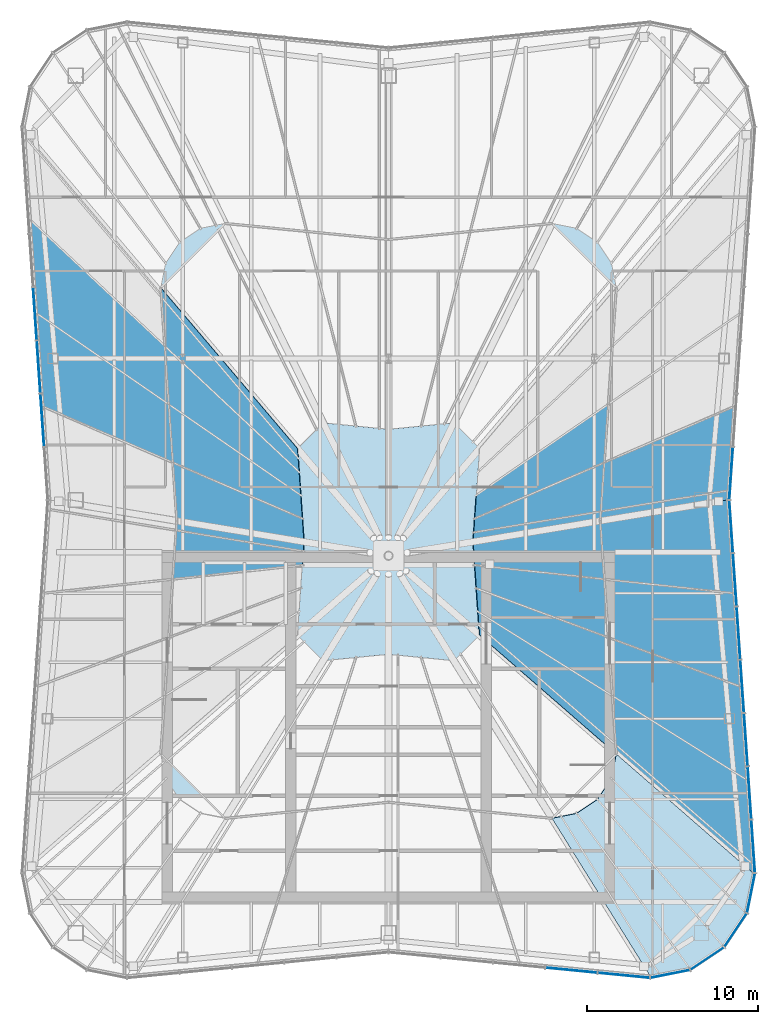
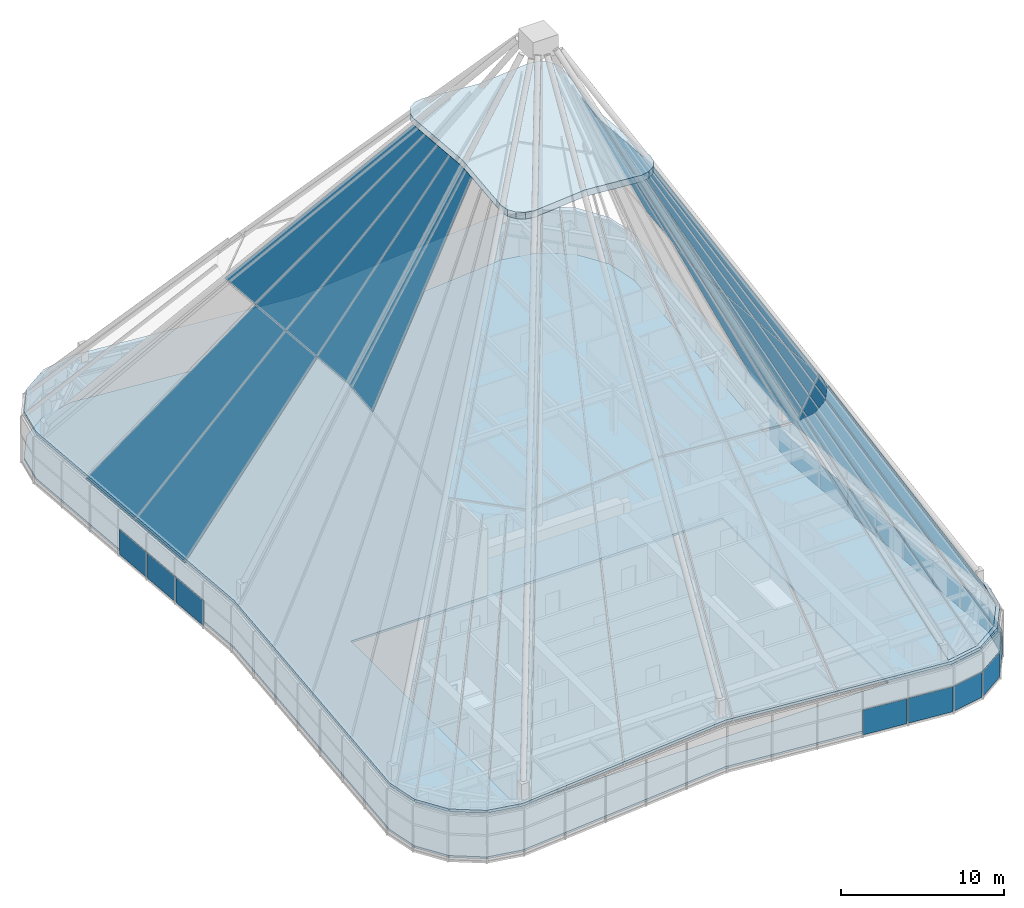
# One storey, part 20 of 28: 39 plates, 3 slabs, 26 elements without a shape of their own.
"""IFC4 building model written with IfcOpenShell, lengths in metres."""

import ifcopenshell
import ifcopenshell.guid

model = None  # the IFC model being written
_history = None  # IfcOwnerHistory: only IFC2X3 demands one
_inside = {}  # id of a spatial element -> (the spatial element, [elements in it])
_under = {}  # id of a project, library or spatial element -> (it, [spatial elements below it])
_declared = {}  # id of a project -> (the project, [libraries it declares])
_typed = {}  # id of a type object -> (the type object, [elements of that type])
_made_of = {}  # id of a material, layer set ... -> (it, [elements and type objects made of it])


def new_model(schema):
    """Start an empty IFC model of exactly this schema.

    Asked for "IFC4X3", IfcOpenShell would pick the latest addendum, in which some entities
    have other attributes; the version numbers below select the first issue.
    IFC2X3 requires an IfcOwnerHistory on every rooted entity: one is made here for all.
    """
    global model, _history
    if schema == "IFC4X3":
        model = ifcopenshell.file(schema_version=(4, 3, 0, 0))
    else:
        model = ifcopenshell.file(schema=schema)
    _inside.clear()
    _under.clear()
    _declared.clear()
    _typed.clear()
    _made_of.clear()
    _history = None
    if model.schema == "IFC2X3":
        org = make("IfcOrganization", Name="unknown")
        user = make(
            "IfcPersonAndOrganization",
            ThePerson=make("IfcPerson", FamilyName="unknown"),
            TheOrganization=org,
        )
        app = make(
            "IfcApplication",
            ApplicationDeveloper=org,
            Version="unknown",
            ApplicationFullName="unknown",
            ApplicationIdentifier="unknown",
        )
        _history = make(
            "IfcOwnerHistory",
            OwningUser=user,
            OwningApplication=app,
            ChangeAction="ADDED",
            CreationDate=0,
        )
    return model


def make(cls, **values):
    """One entity of the class cls with the attributes given. An attribute that is None is left unset."""
    return model.create_entity(
        cls, **{name: value for name, value in values.items() if value is not None}
    )


def rooted(cls, **values):
    """An entity with a GlobalId (a new one), such as an element, a storey or a relation."""
    return make(cls, GlobalId=ifcopenshell.guid.new(), OwnerHistory=_history, **values)


def si_unit(unit_type, name, prefix=None):
    """IfcSIUnit, for example si_unit("LENGTHUNIT", "METRE", prefix="MILLI")."""
    return make("IfcSIUnit", UnitType=unit_type, Prefix=prefix, Name=name)


def assignment(units):
    """IfcUnitAssignment: the units of a project."""
    return None if units is None else make("IfcUnitAssignment", Units=units)


def point(xyz):
    """IfcCartesianPoint."""
    return None if xyz is None else make("IfcCartesianPoint", Coordinates=xyz)


def direction(xyz):
    """IfcDirection."""
    return None if xyz is None else make("IfcDirection", DirectionRatios=xyz)


def frame(location, z_axis=None, x_axis=None):
    """IfcAxis2Placement3D, a coordinate frame: its origin and axes. An axis left out is left unset."""
    return make(
        "IfcAxis2Placement3D",
        Location=point(location),
        Axis=direction(z_axis),
        RefDirection=direction(x_axis),
    )


def frame_2d(location, x_axis=None):
    """IfcAxis2Placement2D, a coordinate frame in the plane: its origin and x axis."""
    return make(
        "IfcAxis2Placement2D", Location=point(location), RefDirection=direction(x_axis)
    )


def origin():
    """The frame at (0, 0, 0) with its axes left unset."""
    return frame((0.0, 0.0, 0.0))


def origin_2d():
    """The frame at (0, 0) in the plane with its x axis left unset."""
    return frame_2d((0.0, 0.0))


def place(relative_to, where):
    """IfcLocalPlacement: puts the frame where relative to a parent placement (None: the world)."""
    return make(
        "IfcLocalPlacement", PlacementRelTo=relative_to, RelativePlacement=where
    )


def context(
    kind, dimensions, precision=None, world=None, true_north=None, identifier=None
):
    """IfcGeometricRepresentationContext, for example the 3D "Model" context."""
    return make(
        "IfcGeometricRepresentationContext",
        ContextIdentifier=identifier,
        ContextType=kind,
        CoordinateSpaceDimension=dimensions,
        Precision=precision,
        WorldCoordinateSystem=world,
        TrueNorth=true_north,
    )


def subcontext(parent, identifier, kind, view, scale=None):
    """IfcGeometricRepresentationSubContext, for example "Body" below "Model"."""
    return make(
        "IfcGeometricRepresentationSubContext",
        ContextIdentifier=identifier,
        ContextType=kind,
        ParentContext=parent,
        TargetScale=scale,
        TargetView=view,
    )


def project(units=None, contexts=None):
    """IfcProject with its units and contexts."""
    return rooted(
        "IfcProject",
        Name="project",
        RepresentationContexts=contexts,
        UnitsInContext=assignment(units),
    )


def spatial(cls, under=None, at=None, **own):
    """A site, building, storey or space (cls), placed at a placement, below another one or the project."""
    s = rooted(cls, ObjectPlacement=at, **own)
    if under is not None:
        _under.setdefault(under.id(), (under, []))[1].append(s)
    return s


def polyline(points):
    """IfcPolyline through the points."""
    return make("IfcPolyline", Points=[point(p) for p in points])


def profile(cls, at=None, kind="AREA", **sizes):
    """A parametric profile (cls). Its sizes go by their IFC names, for example OverallWidth=200.0."""
    return make(cls, ProfileType=kind, Position=at, **sizes)


def rectangle(**sizes):
    """IfcRectangleProfileDef."""
    return profile("IfcRectangleProfileDef", **sizes)


def outline(outer, holes=None, kind="AREA"):
    """IfcArbitraryClosedProfileDef: a profile drawn as a closed curve; with holes, ...WithVoids."""
    if holes is None:
        return make("IfcArbitraryClosedProfileDef", ProfileType=kind, OuterCurve=outer)
    return make(
        "IfcArbitraryProfileDefWithVoids",
        ProfileType=kind,
        OuterCurve=outer,
        InnerCurves=holes,
    )


def extrude(swept, where, along, depth):
    """IfcExtrudedAreaSolid: the profile swept, set in the frame where, extruded along a direction by depth."""
    return make(
        "IfcExtrudedAreaSolid",
        SweptArea=swept,
        Position=where,
        ExtrudedDirection=direction(along),
        Depth=depth,
    )


def shape(context_of_items, identifier, shape_type, items):
    """IfcShapeRepresentation: the items that make up one representation, for example the "Body"."""
    return make(
        "IfcShapeRepresentation",
        ContextOfItems=context_of_items,
        RepresentationIdentifier=identifier,
        RepresentationType=shape_type,
        Items=items,
    )


def material(Name=None, Category=None):
    """IfcMaterial."""
    return make("IfcMaterial", Name=Name, Category=Category)


def layer(
    of_material, thickness, ventilated=None, Name=None, Category=None, Priority=None
):
    """IfcMaterialLayer: one layer of a wall or slab, of a material (None: an air gap)."""
    return make(
        "IfcMaterialLayer",
        Material=of_material,
        LayerThickness=thickness,
        IsVentilated=ventilated,
        Name=Name,
        Category=Category,
        Priority=Priority,
    )


def layer_set(layers, Name=None):
    """IfcMaterialLayerSet."""
    return make("IfcMaterialLayerSet", MaterialLayers=layers, LayerSetName=Name)


def made_of(thing, what):
    """Note that an element or type object is made of a material, layer set ...; save() writes the relation."""
    if what is not None:
        _made_of.setdefault(what.id(), (what, []))[1].append(thing)
    return thing


def type_object(cls, material=None, **own):
    """A type object (cls), such as IfcWallType, which elements share."""
    return made_of(rooted(cls, **own), material)


def element(
    cls,
    number,
    at=None,
    inside=None,
    cuts=None,
    type_object=None,
    material=None,
    context=None,
    identifier="Body",
    shape_type=None,
    held_by="IfcProductDefinitionShape",
    body=None,
    shapes=None,
    **own,
):
    """One element of the class cls, such as IfcWall. Its Tag is "e" and its number.

    at: its placement. inside: the storey or other place that contains it. cuts: it is an
    opening in that element (IfcRelVoidsElement). A single representation is given by context,
    identifier, shape_type and body (its items); several are given by shapes. held_by: the class
    of the entity that holds the representations. save() writes the other relations.
    """
    e = rooted(cls, Tag="e%d" % number, ObjectPlacement=at, **own)
    if body is not None:
        shapes = [shape(context, identifier, shape_type, body)]
    if shapes is not None:
        e.Representation = make(held_by, Representations=shapes)
    if inside is not None:
        _inside.setdefault(inside.id(), (inside, []))[1].append(e)
    if cuts is not None:
        rooted(
            "IfcRelVoidsElement", RelatingBuildingElement=cuts, RelatedOpeningElement=e
        )
    if type_object is not None:
        _typed.setdefault(type_object.id(), (type_object, []))[1].append(e)
    return made_of(e, material)


def aggregate(whole, parts):
    """IfcRelAggregates: a whole, such as a stair, and the parts it consists of."""
    return rooted("IfcRelAggregates", RelatingObject=whole, RelatedObjects=parts)


def save(model, path):
    """Write the relations noted so far, then the file.

    IfcRelAggregates (storeys below a building ...), IfcRelContainedInSpatialStructure (elements
    in a storey), IfcRelDefinesByType, IfcRelAssociatesMaterial and IfcRelDeclares: one each for
    every whole, place, type object, material and project.
    """
    for whole, parts in _under.values():
        aggregate(whole, parts)
    for where, things in _inside.values():
        rooted(
            "IfcRelContainedInSpatialStructure",
            RelatedElements=things,
            RelatingStructure=where,
        )
    for kind, things in _typed.values():
        rooted("IfcRelDefinesByType", RelatedObjects=things, RelatingType=kind)
    for what, things in _made_of.values():
        rooted("IfcRelAssociatesMaterial", RelatedObjects=things, RelatingMaterial=what)
    for by, libraries in _declared.values():
        rooted("IfcRelDeclares", RelatingContext=by, RelatedDefinitions=libraries)
    model.write(path)


model = new_model("IFC4")

# Units and contexts
model_context = context("Model", 3, precision=1e-05, world=origin(), true_north=direction((0.0, 1.0)))
body_context = subcontext(model_context, "Body", "Model", "MODEL_VIEW")
ifc_project = project(units=[si_unit("LENGTHUNIT", "METRE"), si_unit("AREAUNIT", "SQUARE_METRE"), si_unit("VOLUMEUNIT", "CUBIC_METRE"), si_unit("PLANEANGLEUNIT", "RADIAN"), si_unit("MASSUNIT", "GRAM", prefix="KILO")], contexts=[model_context])

# Site, building, storey
site_placement = place(None, origin())
site = spatial("IfcSite", under=ifc_project, at=site_placement, CompositionType="ELEMENT")
building_placement = place(site_placement, origin())
building = spatial("IfcBuilding", under=site, at=building_placement, Name="Verdant Reach Tower", CompositionType="ELEMENT")
storey_placement = place(building_placement, frame((0.0, 0.0, 368.0)))
storey = spatial("IfcBuildingStorey", under=building, at=storey_placement, Name="L83 Crown plant", CompositionType="ELEMENT", Elevation=368.0)

# Slab
ifc_material_1 = material(Name="Bronze anodised aluminium roof cap", Category="aluminium")
ifc_layer_1 = layer(ifc_material_1, 0.5)
ifc_layer_set_1 = layer_set([ifc_layer_1], Name="EN-APEX CAP")
slab_type_1 = type_object("IfcSlabType", Name="EN-APEX CAP", PredefinedType="ROOF", material=ifc_layer_set_1)
slab_1_placement = place(storey_placement, frame((0.0, 0.0, 32.375)))
element("IfcSlab", 1, at=slab_1_placement, inside=storey, type_object=slab_type_1, Name="Crown apex cap", PredefinedType="ROOF", context=body_context, shape_type="SweptSolid", body=[
    extrude(outline(polyline([(3.8125, 31.875), (4.386474609375, 31.9892578125), (4.873046875, 32.314453125), (5.1982421875, 32.801025390625), (5.3125, 33.375), (4.9375, 38.8125), (5.3125, 44.25), (5.1982421875, 44.823974609375), (4.873046875, 45.310546875), (4.386474609375, 45.6357421875), (3.8125, 45.75), (0.0, 45.375), (-3.8125, 45.75), (-4.386474609375, 45.6357421875), (-4.873046875, 45.310546875), (-5.1982421875, 44.823974609375), (-5.3125, 44.25), (-4.9375, 38.8125), (-5.3125, 33.375), (-5.1982421875, 32.801025390625), (-4.873046875, 32.314453125), (-4.386474609375, 31.9892578125), (-3.8125, 31.875), (0.0, 32.25), (3.8125, 31.875)])), origin(), (0.0, 0.0, 1.0), 0.5),
])

# Curtain wall, plate
ifc_material_2 = material(Name="Anodised aluminium", Category="aluminium")
curtain_wall_type_1 = type_object("IfcCurtainWallType", Name="EN-CW SYSTEM CROWN APEX", PredefinedType="NOTDEFINED", material=ifc_material_2)
curtain_wall_1_placement = place(storey_placement, origin())
curtain_wall_1 = element("IfcCurtainWall", 2, at=curtain_wall_1_placement, inside=storey, type_object=curtain_wall_type_1, Name="Crown glazing unit south-east corner 1, level 01", PredefinedType="NOTDEFINED")
ifc_material_3 = material(Name="Tinted glass", Category="glass")
ifc_layer_2 = layer(ifc_material_3, 0.030029296875)
ifc_layer_set_2 = layer_set([ifc_layer_2], Name="EN-PANEL CROWN TINTED")
plate_type_1 = type_object("IfcPlateType", Name="EN-PANEL CROWN TINTED", PredefinedType="CURTAIN_PANEL", material=ifc_layer_set_2)
plate_1_placement = place(storey_placement, frame((15.25, 13.5, 3.14990234375), z_axis=(0.160966136345, -0.809225480843, 0.56501683524), x_axis=(0.980783634067, 0.195098598254, 1.0273707e-05)))
plate_1 = element("IfcPlate", 3, at=plate_1_placement, type_object=plate_type_1, Name="Crown glass facet south-east corner 1, level 01", PredefinedType="CURTAIN_PANEL", context=body_context, shape_type="SweptSolid", body=[
    extrude(outline(polyline([(0.0, 0.0), (2.341137586849089, 5.551115123125783e-17), (-2.3530729135924915, 17.922665710801258), (-3.8162361124218522, 17.92271308111765), (0.0, 0.0)])), origin(), (0.0, 0.0, -1.0), 0.030029296875),
])
aggregate(curtain_wall_1, [plate_1])

curtain_wall_2_placement = place(storey_placement, origin())
curtain_wall_2 = element("IfcCurtainWall", 4, at=curtain_wall_2_placement, inside=storey, type_object=curtain_wall_type_1, Name="Crown glazing unit south-east corner 2, level 01", PredefinedType="NOTDEFINED")
plate_2_placement = place(storey_placement, frame((17.546142578125, 13.956787109375, 3.14990234375), z_axis=(0.443570783188, -0.663844642137, 0.602125610988), x_axis=(0.831474928018, 0.555562277109, -1.8175593e-05)))
plate_2 = element("IfcPlate", 5, at=plate_2_placement, type_object=plate_type_1, Name="Crown glass facet south-east corner 2, level 01", PredefinedType="CURTAIN_PANEL", context=body_context, shape_type="SweptSolid", body=[
    extrude(outline(polyline([(0.0, 0.0), (2.3410229129028077, 3.3306690738754696e-16), (1.0009753813638032, 18.521531146791716), (-0.4622233366753522, 18.521444543756257), (0.0, 0.0)])), origin(), (0.0, 0.0, -1.0), 0.030029296875),
])
aggregate(curtain_wall_2, [plate_2])

curtain_wall_3_placement = place(storey_placement, origin())
curtain_wall_3 = element("IfcCurtainWall", 6, at=curtain_wall_3_placement, inside=storey, type_object=curtain_wall_type_1, Name="Crown glazing unit south-east corner 3, level 01", PredefinedType="NOTDEFINED")
plate_3_placement = place(storey_placement, frame((19.49267578125, 15.25732421875, 3.14990234375), z_axis=(0.671109388447, -0.448424974975, 0.590361948771), x_axis=(0.555562718098, 0.831474633369, 1.8015516e-05)))
plate_3 = element("IfcPlate", 7, at=plate_3_placement, type_object=plate_type_1, Name="Crown glass facet south-east corner 3, level 01", PredefinedType="CURTAIN_PANEL", context=body_context, shape_type="SweptSolid", body=[
    extrude(outline(polyline([(0.0, 0.0), (2.3410229128793367, -1.1102230246251565e-16), (4.493689739752211, 18.32091308509606), (3.0304910216514434, 18.320997996177486), (0.0, 0.0)])), origin(), (0.0, 0.0, -1.0), 0.030029296875),
])
aggregate(curtain_wall_3, [plate_3])

curtain_wall_4_placement = place(storey_placement, origin())
curtain_wall_4 = element("IfcCurtainWall", 8, at=curtain_wall_4_placement, inside=storey, type_object=curtain_wall_type_1, Name="Crown glazing unit south-east corner 4, level 01", PredefinedType="NOTDEFINED")
plate_4_placement = place(storey_placement, frame((20.793212890625, 17.203857421875, 3.14990234375), z_axis=(0.833553715483, -0.165805358573, 0.526969435996), x_axis=(0.195097700236, 0.980783812706, -9.869957e-06)))
plate_4 = element("IfcPlate", 9, at=plate_4_placement, type_object=plate_type_1, Name="Crown glass facet south-east corner 4, level 01", PredefinedType="CURTAIN_PANEL", context=body_context, shape_type="SweptSolid", body=[
    extrude(outline(polyline([(0.0, 0.0), (2.3411375868254694, 0.0), (7.590494535768017, 17.399631573004537), (6.1273313368766535, 17.399587392535295), (0.0, 0.0)])), origin(), (0.0, 0.0, -1.0), 0.030029296875),
])
aggregate(curtain_wall_4, [plate_4])

curtain_wall_5_placement = place(storey_placement, origin())
curtain_wall_5 = element("IfcCurtainWall", 10, at=curtain_wall_5_placement, inside=storey, type_object=curtain_wall_type_1, Name="Crown glazing unit east face part 1 1, level 01", PredefinedType="NOTDEFINED")
plate_5_placement = place(storey_placement, frame((21.25, 19.5, 3.14990234375), z_axis=(0.890402844201, 0.061407092704, 0.451012132879), x_axis=(-0.068802091615, 0.997630328423, 0.0)))
plate_5 = element("IfcPlate", 11, at=plate_5_placement, type_object=plate_type_1, Name="Crown glass facet east face part 1 1, level 01", PredefinedType="CURTAIN_PANEL", context=body_context, shape_type="SweptSolid", body=[
    extrude(outline(polyline([(0.0, 0.0), (5.450415695155737, 2.7755575615628914e-17), (10.875836880466826, 16.56840608996953), (7.46932707099449, 16.56840608996953), (0.0, 0.0)])), origin(), (0.0, 0.0, -1.0), 0.030029296875),
])
aggregate(curtain_wall_5, [plate_5])

curtain_wall_6_placement = place(storey_placement, origin())
curtain_wall_6 = element("IfcCurtainWall", 12, at=curtain_wall_6_placement, inside=storey, type_object=curtain_wall_type_1, Name="Crown glazing unit east face part 1 2, level 01", PredefinedType="NOTDEFINED")
plate_6_placement = place(storey_placement, frame((20.875, 24.9375, 3.14990234375), z_axis=(0.890402844201, 0.061407092704, 0.451012132879), x_axis=(-0.068802091615, 0.997630328423, 0.0)))
plate_6 = element("IfcPlate", 13, at=plate_6_placement, type_object=plate_type_1, Name="Crown glass facet east face part 1 2, level 01", PredefinedType="CURTAIN_PANEL", context=body_context, shape_type="SweptSolid", body=[
    extrude(outline(polyline([(0.0, 0.0), (5.450415695155737, 2.7755575615628914e-17), (8.831930994783425, 16.56840608996953), (5.425421185311088, 16.56840608996953), (0.0, 0.0)])), origin(), (0.0, 0.0, -1.0), 0.030029296875),
])
aggregate(curtain_wall_6, [plate_6])

curtain_wall_7_placement = place(storey_placement, origin())
curtain_wall_7 = element("IfcCurtainWall", 14, at=curtain_wall_7_placement, inside=storey, type_object=curtain_wall_type_1, Name="Crown glazing unit east face part 1 3, level 01", PredefinedType="NOTDEFINED")
plate_7_placement = place(storey_placement, frame((20.5, 30.375, 3.14990234375), z_axis=(0.890402844201, 0.061407092704, 0.451012132879), x_axis=(-0.068802091615, 0.997630328423, 0.0)))
plate_7 = element("IfcPlate", 15, at=plate_7_placement, type_object=plate_type_1, Name="Crown glass facet east face part 1 3, level 01", PredefinedType="CURTAIN_PANEL", context=body_context, shape_type="SweptSolid", body=[
    extrude(outline(polyline([(0.0, 0.0), (5.450415695155737, 2.7755575615628914e-17), (6.788025109100023, 16.56840608996953), (3.3815152996276874, 16.56840608996953), (0.0, 0.0)])), origin(), (0.0, 0.0, -1.0), 0.030029296875),
])
aggregate(curtain_wall_7, [plate_7])

curtain_wall_8_placement = place(storey_placement, origin())
curtain_wall_8 = element("IfcCurtainWall", 16, at=curtain_wall_8_placement, inside=storey, type_object=curtain_wall_type_1, Name="Crown glazing unit east face part 1 4, level 01", PredefinedType="NOTDEFINED")
plate_8_placement = place(storey_placement, frame((20.125, 35.8125, 3.14990234375), z_axis=(0.890402844201, 0.061407092704, 0.451012132879), x_axis=(-0.068802091615, 0.997630328423, 0.0)))
plate_8 = element("IfcPlate", 17, at=plate_8_placement, type_object=plate_type_1, Name="Crown glass facet east face part 1 4, level 01", PredefinedType="CURTAIN_PANEL", context=body_context, shape_type="SweptSolid", body=[
    extrude(outline(polyline([(0.0, 0.0), (5.450415695155737, 2.7755575615628914e-17), (4.744119223416622, 16.56840608996953), (1.3376094139442853, 16.56840608996953), (0.0, 0.0)])), origin(), (0.0, 0.0, -1.0), 0.030029296875),
])
aggregate(curtain_wall_8, [plate_8])

curtain_wall_9_placement = place(storey_placement, origin())
curtain_wall_9 = element("IfcCurtainWall", 18, at=curtain_wall_9_placement, inside=storey, type_object=curtain_wall_type_1, Name="Crown glazing unit east face part 2 1, level 01", PredefinedType="NOTDEFINED")
plate_9_placement = place(storey_placement, frame((19.75, 41.25, 3.14990234375), z_axis=(0.894449461564, -0.061686169763, 0.442893866709), x_axis=(0.068802091615, 0.997630328423, 0.0)))
plate_9 = element("IfcPlate", 19, at=plate_9_placement, type_object=plate_type_1, Name="Crown glass facet east face part 2 1, level 01", PredefinedType="CURTAIN_PANEL", context=body_context, shape_type="SweptSolid", body=[
    extrude(outline(polyline([(0.0, 0.0), (5.450415695155737, 2.7755575615628914e-17), (1.6810823556804309, 16.493448249830344), (-1.7254274537919052, 16.493448249830344), (0.0, 0.0)])), origin(), (0.0, 0.0, -1.0), 0.030029296875),
])
aggregate(curtain_wall_9, [plate_9])

curtain_wall_10_placement = place(storey_placement, origin())
curtain_wall_10 = element("IfcCurtainWall", 20, at=curtain_wall_10_placement, inside=storey, type_object=curtain_wall_type_1, Name="Crown glazing unit west face part 1 2, level 01", PredefinedType="NOTDEFINED")
plate_10_placement = place(storey_placement, frame((-20.875, 57.5625, 3.14990234375), z_axis=(-0.894449461564, -0.061686169763, 0.442893866709), x_axis=(0.068802091615, -0.997630328423, 0.0)))
plate_10 = element("IfcPlate", 21, at=plate_10_placement, type_object=plate_type_1, Name="Crown glass facet west face part 1 2, level 01", PredefinedType="CURTAIN_PANEL", context=body_context, shape_type="SweptSolid", body=[
    extrude(outline(polyline([(0.0, 0.0), (5.450415695155737, -2.7755575615628914e-17), (11.263654920314446, 16.493448249830344), (7.85714511084211, 16.493448249830344), (0.0, 0.0)])), origin(), (0.0, 0.0, -1.0), 0.030029296875),
])
aggregate(curtain_wall_10, [plate_10])

curtain_wall_11_placement = place(storey_placement, origin())
curtain_wall_11 = element("IfcCurtainWall", 22, at=curtain_wall_11_placement, inside=storey, type_object=curtain_wall_type_1, Name="Crown glazing unit west face part 1 3, level 01", PredefinedType="NOTDEFINED")
plate_11_placement = place(storey_placement, frame((-20.5, 52.125, 3.14990234375), z_axis=(-0.894449461564, -0.061686169763, 0.442893866709), x_axis=(0.068802091615, -0.997630328423, 0.0)))
plate_11 = element("IfcPlate", 23, at=plate_11_placement, type_object=plate_type_1, Name="Crown glass facet west face part 1 3, level 01", PredefinedType="CURTAIN_PANEL", context=body_context, shape_type="SweptSolid", body=[
    extrude(outline(polyline([(0.0, 0.0), (5.450415695155737, -2.7755575615628914e-17), (9.219749034631045, 16.493448249830344), (5.813239225158709, 16.493448249830344), (0.0, 0.0)])), origin(), (0.0, 0.0, -1.0), 0.030029296875),
])
aggregate(curtain_wall_11, [plate_11])

curtain_wall_12_placement = place(storey_placement, origin())
curtain_wall_12 = element("IfcCurtainWall", 24, at=curtain_wall_12_placement, inside=storey, type_object=curtain_wall_type_1, Name="Crown glazing unit east face part 1 1, level 02", PredefinedType="NOTDEFINED")
plate_12_placement = place(storey_placement, frame((13.28125, 26.4375, 17.9375), z_axis=(0.885990628679, 0.061102801978, 0.459659714879), x_axis=(-0.068802091615, 0.997630328423, 0.0)))
plate_12 = element("IfcPlate", 25, at=plate_12_placement, type_object=plate_type_1, Name="Crown glass facet east face part 1 1, level 02", PredefinedType="CURTAIN_PANEL", context=body_context, shape_type="SweptSolid", body=[
    extrude(outline(polyline([(0.0, 0.0), (3.406509809472336, -1.3877787807814457e-17), (8.831930994783425, 16.256704529793513), (7.46932707099449, 16.256704529793513), (0.0, 0.0)])), origin(), (0.0, 0.0, -1.0), 0.030029296875),
])
aggregate(curtain_wall_12, [plate_12])

curtain_wall_13_placement = place(storey_placement, origin())
curtain_wall_13 = element("IfcCurtainWall", 26, at=curtain_wall_13_placement, inside=storey, type_object=curtain_wall_type_1, Name="Crown glazing unit east face part 1 2, level 02", PredefinedType="NOTDEFINED")
plate_13_placement = place(storey_placement, frame((13.046875, 29.8359375, 17.9375), z_axis=(0.885990628679, 0.061102801978, 0.459659714879), x_axis=(-0.068802091615, 0.997630328423, 0.0)))
plate_13 = element("IfcPlate", 27, at=plate_13_placement, type_object=plate_type_1, Name="Crown glass facet east face part 1 2, level 02", PredefinedType="CURTAIN_PANEL", context=body_context, shape_type="SweptSolid", body=[
    extrude(outline(polyline([(0.0, 0.0), (3.406509809472336, -1.3877787807814457e-17), (6.788025109100023, 16.256704529793513), (5.425421185311088, 16.256704529793513), (0.0, 0.0)])), origin(), (0.0, 0.0, -1.0), 0.030029296875),
])
aggregate(curtain_wall_13, [plate_13])

curtain_wall_14_placement = place(storey_placement, origin())
curtain_wall_14 = element("IfcCurtainWall", 28, at=curtain_wall_14_placement, inside=storey, type_object=curtain_wall_type_1, Name="Crown glazing unit east face part 1 3, level 02", PredefinedType="NOTDEFINED")
plate_14_placement = place(storey_placement, frame((12.8125, 33.234375, 17.9375), z_axis=(0.885990628679, 0.061102801978, 0.459659714879), x_axis=(-0.068802091615, 0.997630328423, 0.0)))
plate_14 = element("IfcPlate", 29, at=plate_14_placement, type_object=plate_type_1, Name="Crown glass facet east face part 1 3, level 02", PredefinedType="CURTAIN_PANEL", context=body_context, shape_type="SweptSolid", body=[
    extrude(outline(polyline([(0.0, 0.0), (3.406509809472336, -1.3877787807814457e-17), (4.744119223416622, 16.256704529793513), (3.3815152996276874, 16.256704529793513), (0.0, 0.0)])), origin(), (0.0, 0.0, -1.0), 0.030029296875),
])
aggregate(curtain_wall_14, [plate_14])

curtain_wall_15_placement = place(storey_placement, origin())
curtain_wall_15 = element("IfcCurtainWall", 30, at=curtain_wall_15_placement, inside=storey, type_object=curtain_wall_type_1, Name="Crown glazing unit east face part 1 4, level 02", PredefinedType="NOTDEFINED")
plate_15_placement = place(storey_placement, frame((12.578125, 36.6328125, 17.9375), z_axis=(0.885990628679, 0.061102801978, 0.459659714879), x_axis=(-0.068802091615, 0.997630328423, 0.0)))
plate_15 = element("IfcPlate", 31, at=plate_15_placement, type_object=plate_type_1, Name="Crown glass facet east face part 1 4, level 02", PredefinedType="CURTAIN_PANEL", context=body_context, shape_type="SweptSolid", body=[
    extrude(outline(polyline([(0.0, 0.0), (3.406509809472336, -1.3877787807814457e-17), (2.70021333773322, 16.256704529793513), (1.3376094139442856, 16.256704529793513), (0.0, 0.0)])), origin(), (0.0, 0.0, -1.0), 0.030029296875),
])
aggregate(curtain_wall_15, [plate_15])

curtain_wall_16_placement = place(storey_placement, origin())
curtain_wall_16 = element("IfcCurtainWall", 32, at=curtain_wall_16_placement, inside=storey, type_object=curtain_wall_type_1, Name="Crown glazing unit east face part 2 1, level 02", PredefinedType="NOTDEFINED")
plate_16_placement = place(storey_placement, frame((12.34375, 40.03125, 17.9375), z_axis=(0.890174188458, -0.061391323342, 0.451465413538), x_axis=(0.068802091615, 0.997630328423, 0.0)))
plate_16 = element("IfcPlate", 33, at=plate_16_placement, type_object=plate_type_1, Name="Crown glass facet east face part 2 1, level 02", PredefinedType="CURTAIN_PANEL", context=body_context, shape_type="SweptSolid", body=[
    extrude(outline(polyline([(0.0, 0.0), (3.406509809472336, 2.7755575615628914e-17), (-0.3628235300029708, 16.180302746756663), (-1.7254274537919052, 16.180302746756663), (0.0, 0.0)])), origin(), (0.0, 0.0, -1.0), 0.030029296875),
])
aggregate(curtain_wall_16, [plate_16])

curtain_wall_17_placement = place(storey_placement, origin())
curtain_wall_17 = element("IfcCurtainWall", 34, at=curtain_wall_17_placement, inside=storey, type_object=curtain_wall_type_1, Name="Crown glazing unit east face part 2 2, level 02", PredefinedType="NOTDEFINED")
plate_17_placement = place(storey_placement, frame((12.578125, 43.4296875, 17.9375), z_axis=(0.890174188458, -0.061391323342, 0.451465413538), x_axis=(0.068802091615, 0.997630328423, 0.0)))
plate_17 = element("IfcPlate", 35, at=plate_17_placement, type_object=plate_type_1, Name="Crown glass facet east face part 2 2, level 02", PredefinedType="CURTAIN_PANEL", context=body_context, shape_type="SweptSolid", body=[
    extrude(outline(polyline([(0.0, 0.0), (3.406509809472336, 2.7755575615628914e-17), (-2.4067294156863723, 16.180302746756663), (-3.769333339475307, 16.180302746756663), (0.0, 0.0)])), origin(), (0.0, 0.0, -1.0), 0.030029296875),
])
aggregate(curtain_wall_17, [plate_17])

curtain_wall_18_placement = place(storey_placement, origin())
curtain_wall_18 = element("IfcCurtainWall", 36, at=curtain_wall_18_placement, inside=storey, type_object=curtain_wall_type_1, Name="Crown glazing unit west face part 1 1, level 02", PredefinedType="NOTDEFINED")
plate_18_placement = place(storey_placement, frame((-13.28125, 53.625, 17.9375), z_axis=(-0.890174188458, -0.061391323342, 0.451465413538), x_axis=(0.068802091615, -0.997630328423, 0.0)))
plate_18 = element("IfcPlate", 37, at=plate_18_placement, type_object=plate_type_1, Name="Crown glass facet west face part 1 1, level 02", PredefinedType="CURTAIN_PANEL", context=body_context, shape_type="SweptSolid", body=[
    extrude(outline(polyline([(0.0, 0.0), (3.406509809472336, -2.7755575615628914e-17), (11.263654920314446, 16.180302746756663), (9.901050996525512, 16.180302746756663), (0.0, 0.0)])), origin(), (0.0, 0.0, -1.0), 0.030029296875),
])
aggregate(curtain_wall_18, [plate_18])

curtain_wall_19_placement = place(storey_placement, origin())
curtain_wall_19 = element("IfcCurtainWall", 38, at=curtain_wall_19_placement, inside=storey, type_object=curtain_wall_type_1, Name="Crown glazing unit west face part 1 2, level 02", PredefinedType="NOTDEFINED")
plate_19_placement = place(storey_placement, frame((-13.046875, 50.2265625, 17.9375), z_axis=(-0.890174188458, -0.061391323342, 0.451465413538), x_axis=(0.068802091615, -0.997630328423, 0.0)))
plate_19 = element("IfcPlate", 39, at=plate_19_placement, type_object=plate_type_1, Name="Crown glass facet west face part 1 2, level 02", PredefinedType="CURTAIN_PANEL", context=body_context, shape_type="SweptSolid", body=[
    extrude(outline(polyline([(0.0, 0.0), (3.406509809472336, -2.7755575615628914e-17), (9.219749034631045, 16.180302746756663), (7.85714511084211, 16.180302746756663), (0.0, 0.0)])), origin(), (0.0, 0.0, -1.0), 0.030029296875),
])
aggregate(curtain_wall_19, [plate_19])

curtain_wall_20_placement = place(storey_placement, origin())
curtain_wall_20 = element("IfcCurtainWall", 40, at=curtain_wall_20_placement, inside=storey, type_object=curtain_wall_type_1, Name="Crown glazing unit west face part 1 3, level 02", PredefinedType="NOTDEFINED")
plate_20_placement = place(storey_placement, frame((-12.8125, 46.828125, 17.9375), z_axis=(-0.890174188458, -0.061391323342, 0.451465413538), x_axis=(0.068802091615, -0.997630328423, 0.0)))
plate_20 = element("IfcPlate", 41, at=plate_20_placement, type_object=plate_type_1, Name="Crown glass facet west face part 1 3, level 02", PredefinedType="CURTAIN_PANEL", context=body_context, shape_type="SweptSolid", body=[
    extrude(outline(polyline([(0.0, 0.0), (3.406509809472336, -2.7755575615628914e-17), (7.175843148947643, 16.180302746756663), (5.813239225158709, 16.180302746756663), (0.0, 0.0)])), origin(), (0.0, 0.0, -1.0), 0.030029296875),
])
aggregate(curtain_wall_20, [plate_20])

curtain_wall_21_placement = place(storey_placement, origin())
curtain_wall_21 = element("IfcCurtainWall", 42, at=curtain_wall_21_placement, inside=storey, type_object=curtain_wall_type_1, Name="Crown glazing unit west face part 1 4, level 02", PredefinedType="NOTDEFINED")
plate_21_placement = place(storey_placement, frame((-12.578125, 43.4296875, 17.9375), z_axis=(-0.890174188458, -0.061391323342, 0.451465413538), x_axis=(0.068802091615, -0.997630328423, 0.0)))
plate_21 = element("IfcPlate", 43, at=plate_21_placement, type_object=plate_type_1, Name="Crown glass facet west face part 1 4, level 02", PredefinedType="CURTAIN_PANEL", context=body_context, shape_type="SweptSolid", body=[
    extrude(outline(polyline([(0.0, 0.0), (3.406509809472336, -2.7755575615628914e-17), (5.131937263264241, 16.180302746756663), (3.769333339475307, 16.180302746756663), (0.0, 0.0)])), origin(), (0.0, 0.0, -1.0), 0.030029296875),
])
aggregate(curtain_wall_21, [plate_21])

curtain_wall_22_placement = place(storey_placement, origin())
curtain_wall_22 = element("IfcCurtainWall", 44, at=curtain_wall_22_placement, inside=storey, type_object=curtain_wall_type_1, Name="Crown glazing unit west face part 2 1, level 02", PredefinedType="NOTDEFINED")
plate_22_placement = place(storey_placement, frame((-12.34375, 40.03125, 17.9375), z_axis=(-0.885990628679, 0.061102801978, 0.459659714879), x_axis=(-0.068802091615, -0.997630328423, 0.0)))
plate_22 = element("IfcPlate", 45, at=plate_22_placement, type_object=plate_type_1, Name="Crown glass facet west face part 2 1, level 02", PredefinedType="CURTAIN_PANEL", context=body_context, shape_type="SweptSolid", body=[
    extrude(outline(polyline([(0.0, 0.0), (3.406509809472336, 1.3877787807814457e-17), (2.0689003955280505, 16.256704529793513), (0.7062964717391162, 16.256704529793513), (0.0, 0.0)])), origin(), (0.0, 0.0, -1.0), 0.030029296875),
])
aggregate(curtain_wall_22, [plate_22])

# Curtain wall, plates
curtain_wall_type_2 = type_object("IfcCurtainWallType", Name="EN-CW SYSTEM PLANT", PredefinedType="NOTDEFINED", material=ifc_material_2)
curtain_wall_23_placement = place(storey_placement, origin())
curtain_wall_23 = element("IfcCurtainWall", 46, at=curtain_wall_23_placement, inside=storey, type_object=curtain_wall_type_2, Name="Curtain wall south-east corner, L83", PredefinedType="NOTDEFINED")
ifc_material_4 = material(Name="Bronze anodised aluminium solid panel", Category="aluminium")
ifc_layer_3 = layer(ifc_material_4, 0.0400390625)
ifc_layer_set_3 = layer_set([ifc_layer_3], Name="EN-PANEL SOLID")
plate_type_2 = type_object("IfcPlateType", Name="EN-PANEL SOLID", PredefinedType="CURTAIN_PANEL", material=ifc_layer_set_3)
plate_23_placement = place(storey_placement, frame((16.423828125, 13.614013671875, -0.199951171875), z_axis=(0.0, 0.0, 1.0), x_axis=(0.980705120874, 0.195492879387, 0.0)))
plate_23 = element("IfcPlate", 47, at=plate_23_placement, type_object=plate_type_2, Name="Solid panel south-east corner 1.1, L83", PredefinedType="CURTAIN_PANEL", context=body_context, shape_type="SweptSolid", body=[
    extrude(rectangle(XDim=2.3056640625, YDim=0.0400390625, at=origin_2d()), origin(), (0.0, 0.0, 1.0), 1.875),
])
plate_24_placement = place(storey_placement, frame((18.584228515625, 14.510009765625, -0.199951171875), z_axis=(0.0, 0.0, 1.0), x_axis=(0.83145208321, 0.555596466265, 0.0)))
plate_24 = element("IfcPlate", 48, at=plate_24_placement, type_object=plate_type_2, Name="Solid panel south-east corner 2.1, L83", PredefinedType="CURTAIN_PANEL", context=body_context, shape_type="SweptSolid", body=[
    extrude(rectangle(XDim=2.3115234375, YDim=0.0400390625, at=origin_2d()), origin(), (0.0, 0.0, 1.0), 1.875),
])
plate_25_placement = place(storey_placement, frame((20.239990234375, 16.165771484375, -0.199951171875), z_axis=(0.0, 0.0, 1.0), x_axis=(0.555596466265, 0.83145208321, 0.0)))
plate_25 = element("IfcPlate", 49, at=plate_25_placement, type_object=plate_type_2, Name="Solid panel south-east corner 3.1, L83", PredefinedType="CURTAIN_PANEL", context=body_context, shape_type="SweptSolid", body=[
    extrude(rectangle(XDim=2.3115234375, YDim=0.0400390625, at=origin_2d()), origin(), (0.0, 0.0, 1.0), 1.875),
])
plate_26_placement = place(storey_placement, frame((21.135986328125, 18.325439453125, -0.199951171875), z_axis=(0.0, 0.0, 1.0), x_axis=(0.195592962334, 0.980685165119, 0.0)))
plate_26 = element("IfcPlate", 50, at=plate_26_placement, type_object=plate_type_2, Name="Solid panel south-east corner 4.1, L83", PredefinedType="CURTAIN_PANEL", context=body_context, shape_type="SweptSolid", body=[
    extrude(rectangle(XDim=2.303955078125, YDim=0.0400390625, at=origin_2d()), origin(), (0.0, 0.0, 1.0), 1.875),
])
aggregate(curtain_wall_23, [plate_23, plate_24, plate_25, plate_26])

curtain_wall_24_placement = place(storey_placement, origin())
curtain_wall_24 = element("IfcCurtainWall", 51, at=curtain_wall_24_placement, inside=storey, type_object=curtain_wall_type_2, Name="Curtain wall east, L83", PredefinedType="NOTDEFINED")
plate_27_placement = place(storey_placement, frame((21.261474609375, 21.053955078125, -0.199951171875), z_axis=(0.0, 0.0, 1.0), x_axis=(-0.068469163133, 0.997653233193, 0.0)))
plate_27 = element("IfcPlate", 52, at=plate_27_placement, type_object=plate_type_2, Name="Solid panel east face part 1 1.1, L83", PredefinedType="CURTAIN_PANEL", context=body_context, shape_type="SweptSolid", body=[
    extrude(rectangle(XDim=3.05419921875, YDim=0.0400390625, at=origin_2d()), origin(), (0.0, 0.0, 1.0), 1.875),
])
plate_28_placement = place(storey_placement, frame((21.04736328125, 24.1689453125, -0.199951171875), z_axis=(0.0, 0.0, 1.0), x_axis=(-0.068802091615, 0.997630328423, 0.0)))
plate_28 = element("IfcPlate", 53, at=plate_28_placement, type_object=plate_type_2, Name="Solid panel east face part 1 2.1, L83", PredefinedType="CURTAIN_PANEL", context=body_context, shape_type="SweptSolid", body=[
    extrude(rectangle(XDim=3.03857421875, YDim=0.0400390625, at=origin_2d()), origin(), (0.0, 0.0, 1.0), 1.875),
])
plate_29_placement = place(storey_placement, frame((20.8330078125, 27.276123046875, -0.199951171875), z_axis=(0.0, 0.0, 1.0), x_axis=(-0.068802091615, 0.997630328423, 0.0)))
plate_29 = element("IfcPlate", 54, at=plate_29_placement, type_object=plate_type_2, Name="Solid panel east face part 1 3.1, L83", PredefinedType="CURTAIN_PANEL", context=body_context, shape_type="SweptSolid", body=[
    extrude(rectangle(XDim=3.03857421875, YDim=0.0400390625, at=origin_2d()), origin(), (0.0, 0.0, 1.0), 1.875),
])
plate_30_placement = place(storey_placement, frame((20.61865234375, 30.38330078125, -0.199951171875), z_axis=(0.0, 0.0, 1.0), x_axis=(-0.068802091615, 0.997630328423, 0.0)))
plate_30 = element("IfcPlate", 55, at=plate_30_placement, type_object=plate_type_2, Name="Solid panel east face part 1 4.1, L83", PredefinedType="CURTAIN_PANEL", context=body_context, shape_type="SweptSolid", body=[
    extrude(rectangle(XDim=3.03857421875, YDim=0.0400390625, at=origin_2d()), origin(), (0.0, 0.0, 1.0), 1.875),
])
plate_31_placement = place(storey_placement, frame((20.404541015625, 33.490234375, -0.199951171875), z_axis=(0.0, 0.0, 1.0), x_axis=(-0.068802091615, 0.997630328423, 0.0)))
plate_31 = element("IfcPlate", 56, at=plate_31_placement, type_object=plate_type_2, Name="Solid panel east face part 1 5.1, L83", PredefinedType="CURTAIN_PANEL", context=body_context, shape_type="SweptSolid", body=[
    extrude(rectangle(XDim=3.03857421875, YDim=0.0400390625, at=origin_2d()), origin(), (0.0, 0.0, 1.0), 1.875),
])
plate_32_placement = place(storey_placement, frame((20.190185546875, 36.597412109375, -0.199951171875), z_axis=(0.0, 0.0, 1.0), x_axis=(-0.068802091615, 0.997630328423, 0.0)))
plate_32 = element("IfcPlate", 57, at=plate_32_placement, type_object=plate_type_2, Name="Solid panel east face part 1 6.1, L83", PredefinedType="CURTAIN_PANEL", context=body_context, shape_type="SweptSolid", body=[
    extrude(rectangle(XDim=3.03857421875, YDim=0.0400390625, at=origin_2d()), origin(), (0.0, 0.0, 1.0), 1.875),
])
plate_33_placement = place(storey_placement, frame((19.97607421875, 39.700439453125, -0.199951171875), z_axis=(0.0, 0.0, 1.0), x_axis=(-0.068892655483, 0.997624078509, 0.0)))
plate_33 = element("IfcPlate", 58, at=plate_33_placement, type_object=plate_type_2, Name="Solid panel east face part 1 7.1, L83", PredefinedType="CURTAIN_PANEL", context=body_context, shape_type="SweptSolid", body=[
    extrude(rectangle(XDim=3.0302734375, YDim=0.0400390625, at=origin_2d()), origin(), (0.0, 0.0, 1.0), 1.875),
])
plate_34_placement = place(storey_placement, frame((19.97607421875, 42.799560546875, -0.199951171875), z_axis=(0.0, 0.0, 1.0), x_axis=(0.068892655483, 0.997624078509, 0.0)))
plate_34 = element("IfcPlate", 59, at=plate_34_placement, type_object=plate_type_2, Name="Solid panel east face part 2 1.1, L83", PredefinedType="CURTAIN_PANEL", context=body_context, shape_type="SweptSolid", body=[
    extrude(rectangle(XDim=3.0302734375, YDim=0.0400390625, at=origin_2d()), origin(), (0.0, 0.0, 1.0), 1.875),
])
aggregate(curtain_wall_24, [plate_27, plate_28, plate_29, plate_30, plate_31, plate_32, plate_33, plate_34])

curtain_wall_25_placement = place(storey_placement, origin())
curtain_wall_25 = element("IfcCurtainWall", 60, at=curtain_wall_25_placement, inside=storey, type_object=curtain_wall_type_2, Name="Curtain wall west, L83", PredefinedType="NOTDEFINED")
plate_35_placement = place(storey_placement, frame((-20.61865234375, 52.11669921875, -0.199951171875), z_axis=(0.0, 0.0, 1.0), x_axis=(0.068802091615, -0.997630328423, 0.0)))
plate_35 = element("IfcPlate", 61, at=plate_35_placement, type_object=plate_type_2, Name="Solid panel west face part 1 4.1, L83", PredefinedType="CURTAIN_PANEL", context=body_context, shape_type="SweptSolid", body=[
    extrude(rectangle(XDim=3.03857421875, YDim=0.0400390625, at=origin_2d()), origin(), (0.0, 0.0, 1.0), 1.875),
])
plate_36_placement = place(storey_placement, frame((-20.404541015625, 49.009765625, -0.199951171875), z_axis=(0.0, 0.0, 1.0), x_axis=(0.068802091615, -0.997630328423, 0.0)))
plate_36 = element("IfcPlate", 62, at=plate_36_placement, type_object=plate_type_2, Name="Solid panel west face part 1 5.1, L83", PredefinedType="CURTAIN_PANEL", context=body_context, shape_type="SweptSolid", body=[
    extrude(rectangle(XDim=3.03857421875, YDim=0.0400390625, at=origin_2d()), origin(), (0.0, 0.0, 1.0), 1.875),
])
plate_37_placement = place(storey_placement, frame((-20.190185546875, 45.902587890625, -0.199951171875), z_axis=(0.0, 0.0, 1.0), x_axis=(0.068802091615, -0.997630328423, 0.0)))
plate_37 = element("IfcPlate", 63, at=plate_37_placement, type_object=plate_type_2, Name="Solid panel west face part 1 6.1, L83", PredefinedType="CURTAIN_PANEL", context=body_context, shape_type="SweptSolid", body=[
    extrude(rectangle(XDim=3.03857421875, YDim=0.0400390625, at=origin_2d()), origin(), (0.0, 0.0, 1.0), 1.875),
])
aggregate(curtain_wall_25, [plate_35, plate_36, plate_37])

curtain_wall_26_placement = place(storey_placement, origin())
curtain_wall_26 = element("IfcCurtainWall", 64, at=curtain_wall_26_placement, inside=storey, type_object=curtain_wall_type_2, Name="Curtain wall south, L83", PredefinedType="NOTDEFINED")
plate_38_placement = place(storey_placement, frame((10.663330078125, 13.83154296875, -0.199951171875), z_axis=(0.0, 0.0, 1.0), x_axis=(0.995197410875, -0.09788826992, 0.0)))
plate_38 = element("IfcPlate", 65, at=plate_38_placement, type_object=plate_type_2, Name="Solid panel south face part 2 4.1, L83", PredefinedType="CURTAIN_PANEL", context=body_context, shape_type="SweptSolid", body=[
    extrude(rectangle(XDim=2.98876953125, YDim=0.0400390625, at=origin_2d()), origin(), (0.0, 0.0, 1.0), 1.875),
])
plate_39_placement = place(storey_placement, frame((13.72216796875, 13.53125, -0.199951171875), z_axis=(0.0, 0.0, 1.0), x_axis=(0.995238191716, -0.097472774402, 0.0)))
plate_39 = element("IfcPlate", 66, at=plate_39_placement, type_object=plate_type_2, Name="Solid panel south face part 2 5.1, L83", PredefinedType="CURTAIN_PANEL", context=body_context, shape_type="SweptSolid", body=[
    extrude(rectangle(XDim=3.006103515625, YDim=0.0400390625, at=origin_2d()), origin(), (0.0, 0.0, 1.0), 1.875),
])
aggregate(curtain_wall_26, [plate_38, plate_39])

# Slabs
ifc_material_5 = material(Name="Concrete C35/45", Category="concrete")
ifc_layer_4 = layer(ifc_material_5, 0.14990234375)
ifc_layer_set_4 = layer_set([ifc_layer_4], Name="ST-SLAB-150")
slab_type_2 = type_object("IfcSlabType", Name="ST-SLAB-150", PredefinedType="FLOOR", material=ifc_layer_set_4)
slab_2_placement = place(storey_placement, frame((0.0, 0.0, -0.14990234375)))
element("IfcSlab", 67, at=slab_2_placement, inside=storey, type_object=slab_type_2, Name="Floor slab L83 Crown plant", PredefinedType="FLOOR", context=body_context, shape_type="SweptSolid", body=[
    extrude(outline(polyline([(0.0, 15.0), (-15.25, 13.5), (-17.546142578125, 13.956787109375), (-19.49267578125, 15.25732421875), (-20.793212890625, 17.203857421875), (-21.25, 19.5), (-19.75, 41.25), (-21.25, 63.0), (-20.793212890625, 65.296142578125), (-19.49267578125, 67.24267578125), (-17.546142578125, 68.543212890625), (-15.25, 69.0), (0.0, 67.5), (15.25, 69.0), (17.546142578125, 68.543212890625), (19.49267578125, 67.24267578125), (20.793212890625, 65.296142578125), (21.25, 63.0), (19.75, 41.25), (21.25, 19.5), (20.793212890625, 17.203857421875), (19.49267578125, 15.25732421875), (17.546142578125, 13.956787109375), (15.25, 13.5), (0.0, 15.0)]), holes=[polyline([(13.199951171875, 38.199951171875), (-13.199951171875, 38.199951171875), (-13.199951171875, 17.800048828125), (13.199951171875, 17.800048828125), (13.199951171875, 38.199951171875)])]), origin(), (0.0, 0.0, 1.0), 0.14990234375),
])
ifc_layer_5 = layer(ifc_material_5, 0.199951171875)
ifc_layer_set_5 = layer_set([ifc_layer_5], Name="ST-SLAB-200-ROOF")
slab_type_3 = type_object("IfcSlabType", Name="ST-SLAB-200-ROOF", PredefinedType="ROOF", material=ifc_layer_set_5)
slab_3_placement = place(storey_placement, frame((0.0, 0.0, 3.300048828125)))
element("IfcSlab", 68, at=slab_3_placement, inside=storey, type_object=slab_type_3, Name="Crown roof slab", PredefinedType="ROOF", context=body_context, shape_type="SweptSolid", body=[
    extrude(outline(polyline([(15.25, 13.5), (17.546142578125, 13.956787109375), (19.49267578125, 15.25732421875), (20.793212890625, 17.203857421875), (21.25, 19.5), (19.75, 41.25), (21.25, 63.0), (20.793212890625, 65.296142578125), (19.49267578125, 67.24267578125), (17.546142578125, 68.543212890625), (15.25, 69.0), (0.0, 67.5), (-15.25, 69.0), (-17.546142578125, 68.543212890625), (-19.49267578125, 67.24267578125), (-20.793212890625, 65.296142578125), (-21.25, 63.0), (-19.75, 41.25), (-21.25, 19.5), (-20.793212890625, 17.203857421875), (-19.49267578125, 15.25732421875), (-17.546142578125, 13.956787109375), (-15.25, 13.5), (0.0, 15.0), (15.25, 13.5)])), origin(), (0.0, 0.0, 1.0), 0.199951171875),
])

save(model, "model.ifc")
